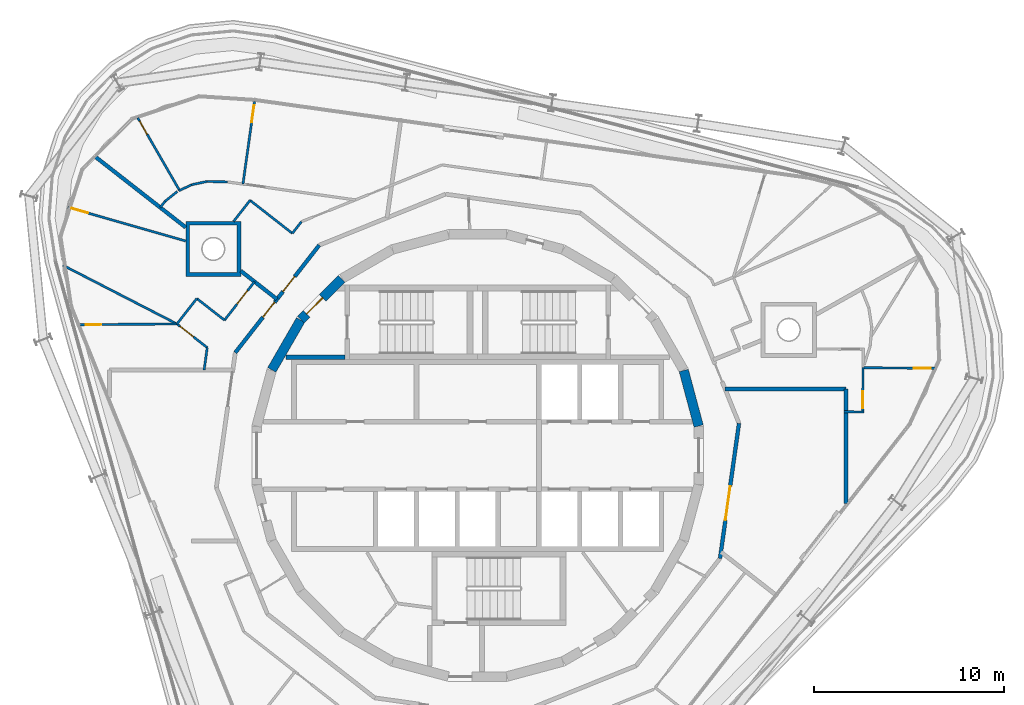
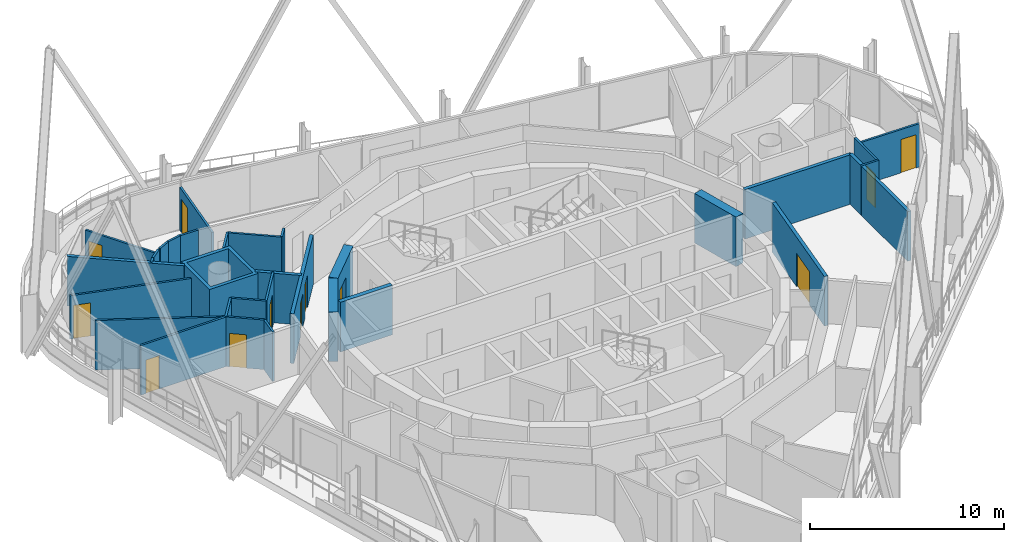
# One storey, part 12 of 17: 32 walls, 12 doors, 12 openings.
"""IFC4 building model written with IfcOpenShell, lengths in metres."""

from ifc_helpers import new_model, si_unit, direction, frame, frame_2d, origin, place, context, subcontext, project, spatial, polyline, rectangle, outline, extrude, material, layer, layer_set, type_object, element, fill, save


model = new_model("IFC4")

# Units and contexts
model_context = context("Model", 3, precision=1e-05, world=origin(), true_north=direction((0.0, 1.0)))
body_context = subcontext(model_context, "Body", "Model", "MODEL_VIEW")
ifc_project = project(units=[si_unit("LENGTHUNIT", "METRE"), si_unit("AREAUNIT", "SQUARE_METRE"), si_unit("VOLUMEUNIT", "CUBIC_METRE"), si_unit("PLANEANGLEUNIT", "RADIAN"), si_unit("MASSUNIT", "GRAM", prefix="KILO")], contexts=[model_context])

# Site, building, storey
site_placement = place(None, origin())
site = spatial("IfcSite", under=ifc_project, at=site_placement, CompositionType="ELEMENT")
building_placement = place(site_placement, origin())
building = spatial("IfcBuilding", under=site, at=building_placement, Name="Spindle Arch Residences", CompositionType="ELEMENT")
storey_placement = place(building_placement, frame((0.0, 0.0, 333.0)))
storey = spatial("IfcBuildingStorey", under=building, at=storey_placement, Name="L85", CompositionType="ELEMENT", Elevation=333.0)

# Wall
ifc_material_1 = material(Name="Concrete C50/60", Category="concrete")
ifc_layer_1 = layer(ifc_material_1, 0.5)
ifc_layer_set_1 = layer_set([ifc_layer_1], Name="Core outline wall 500")
wall_type_1 = type_object("IfcWallType", Name="Core outline wall 500", PredefinedType="SHEAR", material=ifc_layer_set_1)
wall_1_placement = place(storey_placement, frame((11.642822265625, 1.5498046875, 0.0), z_axis=(0.0, 0.0, 1.0), x_axis=(-0.258734743916, 0.965948410781, 0.0)))
element("IfcWall", 1, at=wall_1_placement, inside=storey, type_object=wall_type_1, Name="Core outline wall 7", PredefinedType="SHEAR", context=body_context, shape_type="SweptSolid", body=[
    extrude(rectangle(XDim=3.03271484375, YDim=0.5, at=frame_2d((1.516357421875, 0.0))), origin(), (0.0, 0.0, 1.0), 3.1201171875),
])

# Wall, opening, door
wall_2_placement = place(storey_placement, frame((-7.163818359375, 9.30810546875, 0.0), z_axis=(0.0, 0.0, 1.0), x_axis=(-0.707106781187, -0.707106781187, 0.0)))
wall_2 = element("IfcWall", 2, at=wall_2_placement, inside=storey, type_object=wall_type_1, Name="Core outline wall 15", PredefinedType="SHEAR", context=body_context, shape_type="SweptSolid", body=[
    extrude(rectangle(XDim=3.032470703125, YDim=0.5, at=frame_2d((1.51611328125, 0.0))), origin(), (0.0, 0.0, 1.0), 3.1201171875),
])
opening_1_placement = place(wall_2_placement, frame((1.416259765625, 0.0, 0.0)))
opening_1 = element("IfcOpeningElement", 3, at=opening_1_placement, cuts=wall_2, Name="Opening R9A0-AD02", PredefinedType="OPENING", context=body_context, shape_type="SweptSolid", body=[
    extrude(rectangle(XDim=1.199951171875, YDim=2.10009765625, at=frame_2d((0.60009765625, 1.050048828125))), frame((0.0, 0.260009765625, 0.0), z_axis=(0.0, -1.0, 0.0), x_axis=(1.0, 0.0, 0.0)), (0.0, 0.0, 1.0), 0.52001953125),
])
ifc_material_2 = material(Name="Steel, fire-resisting door", Category="steel")
door_type_1 = type_object("IfcDoorType", Name="Stair airlock door 1200x2100", OperationType="SINGLE_SWING_LEFT", PredefinedType="DOOR", material=ifc_material_2)
door_1_placement = place(opening_1_placement, origin())
door_1 = element("IfcDoor", 4, at=door_1_placement, inside=storey, type_object=door_type_1, Name="Stair airlock door R9A0-AD02", OperationType="SINGLE_SWING_RIGHT", OverallHeight=2.10009765625, OverallWidth=1.199951171875, PredefinedType="DOOR", context=body_context, shape_type="SweptSolid", body=[
    extrude(rectangle(XDim=1.199951171875, YDim=2.10009765625, at=frame_2d((0.60009765625, 1.050048828125))), frame((0.0, 0.02490234375, 0.0), z_axis=(0.0, -1.0, 0.0), x_axis=(1.0, 0.0, 0.0)), (0.0, 0.0, 1.0), 0.050048828125),
])
fill(opening_1, door_1)

# Wall
wall_3_placement = place(storey_placement, frame((-9.32861328125, 7.13671875, 0.0), z_axis=(0.0, 0.0, 1.0), x_axis=(-0.500087131594, -0.865975092491, 0.0)))
element("IfcWall", 5, at=wall_3_placement, inside=storey, type_object=wall_type_1, Name="Core outline wall 16", PredefinedType="SHEAR", context=body_context, shape_type="SweptSolid", body=[
    extrude(rectangle(XDim=3.03271484375, YDim=0.5, at=frame_2d((1.516357421875, 0.0))), origin(), (0.0, 0.0, 1.0), 3.1201171875),
])

# Wall, openings, doors
ifc_material_3 = material(Name="Calcium silicate block, plastered")
ifc_layer_2 = layer(ifc_material_3, 0.199951171875)
ifc_layer_set_2 = layer_set([ifc_layer_2], Name="Corridor wall 200")
wall_type_2 = type_object("IfcWallType", Name="Corridor wall 200", PredefinedType="STANDARD", material=ifc_layer_set_2)
wall_4_placement = place(storey_placement, frame((-8.348876953125, 11.0791015625, 0.0), z_axis=(0.0, 0.0, 1.0), x_axis=(-0.615669112324, -0.78800478687, 0.0)))
wall_4 = element("IfcWall", 6, at=wall_4_placement, inside=storey, type_object=wall_type_2, Name="Corridor wall R9A0-W012", PredefinedType="STANDARD", context=body_context, shape_type="SweptSolid", body=[
    extrude(rectangle(XDim=7.18115234375, YDim=0.199951171875, at=frame_2d((3.590576171875, 0.0))), origin(), (0.0, 0.0, 1.0), 3.1201171875),
])
opening_2_placement = place(wall_4_placement, frame((2.10009765625, 0.0, 0.0)))
opening_2 = element("IfcOpeningElement", 7, at=opening_2_placement, cuts=wall_4, Name="Opening R9A0-FD03", PredefinedType="OPENING", context=body_context, shape_type="SweptSolid", body=[
    extrude(rectangle(XDim=1.0, YDim=2.10009765625, at=frame_2d((0.5, 1.050048828125))), frame((0.0, 0.10986328125, 0.0), z_axis=(0.0, -1.0, 0.0), x_axis=(1.0, 0.0, 0.0)), (0.0, 0.0, 1.0), 0.219970703125),
])
opening_3_placement = place(wall_4_placement, frame((3.811279296875, 0.0, 0.0)))
opening_3 = element("IfcOpeningElement", 8, at=opening_3_placement, cuts=wall_4, Name="Opening R9A0-FD04", PredefinedType="OPENING", context=body_context, shape_type="SweptSolid", body=[
    extrude(rectangle(XDim=1.0, YDim=2.10009765625, at=frame_2d((0.5, 1.050048828125))), frame((0.0, 0.10986328125, 0.0), z_axis=(0.0, -1.0, 0.0), x_axis=(1.0, 0.0, 0.0)), (0.0, 0.0, 1.0), 0.219970703125),
])
ifc_material_4 = material(Name="Timber, fire-resisting door set", Category="wood")
door_type_2 = type_object("IfcDoorType", Name="Flat entrance door 1000x2100", OperationType="NOTDEFINED", PredefinedType="DOOR", material=ifc_material_4)
door_2_placement = place(opening_2_placement, origin())
door_2 = element("IfcDoor", 9, at=door_2_placement, inside=storey, type_object=door_type_2, Name="Flat entrance door R9A0-FD03", OperationType="SINGLE_SWING_RIGHT", OverallHeight=2.10009765625, OverallWidth=1.0, PredefinedType="DOOR", context=body_context, shape_type="SweptSolid", body=[
    extrude(rectangle(XDim=1.0, YDim=2.10009765625, at=frame_2d((0.5, 1.050048828125))), frame((0.0, 0.02490234375, 0.0), z_axis=(0.0, -1.0, 0.0), x_axis=(1.0, 0.0, 0.0)), (0.0, 0.0, 1.0), 0.050048828125),
])
fill(opening_2, door_2)
door_3_placement = place(opening_3_placement, origin())
door_3 = element("IfcDoor", 10, at=door_3_placement, inside=storey, type_object=door_type_2, Name="Flat entrance door R9A0-FD04", OperationType="SINGLE_SWING_LEFT", OverallHeight=2.10009765625, OverallWidth=1.0, PredefinedType="DOOR", context=body_context, shape_type="SweptSolid", body=[
    extrude(rectangle(XDim=1.0, YDim=2.10009765625, at=frame_2d((0.5, 1.050048828125))), frame((0.0, 0.02490234375, 0.0), z_axis=(0.0, -1.0, 0.0), x_axis=(1.0, 0.0, 0.0)), (0.0, 0.0, 1.0), 0.050048828125),
])
fill(opening_3, door_3)

# Wall, opening, door
ifc_material_5 = material(Name="Calcium silicate block, plastered")
ifc_layer_3 = layer(ifc_material_5, 0.199951171875)
ifc_layer_set_3 = layer_set([ifc_layer_3], Name="Fire-lift lobby bay wall 200")
wall_type_3 = type_object("IfcWallType", Name="Fire-lift lobby bay wall 200", PredefinedType="STANDARD", material=ifc_layer_set_3)
wall_5_placement = place(storey_placement, frame((12.77001953125, -5.42041015625, 0.0), z_axis=(0.0, 0.0, 1.0), x_axis=(0.139155334385, 0.990270565508, 0.0)))
wall_5 = element("IfcWall", 11, at=wall_5_placement, inside=storey, type_object=wall_type_3, Name="Fire-lift lobby bay wall R9A0-W004", PredefinedType="STANDARD", context=body_context, shape_type="SweptSolid", body=[
    extrude(rectangle(XDim=7.180908203125, YDim=0.199951171875, at=frame_2d((3.59033203125, 0.0))), origin(), (0.0, 0.0, 1.0), 3.1201171875),
])
opening_4_placement = place(wall_5_placement, frame((2.039306640625, 0.0, 0.0)))
opening_4 = element("IfcOpeningElement", 12, at=opening_4_placement, cuts=wall_5, Name="Opening R9A0-FB01", PredefinedType="OPENING", context=body_context, shape_type="SweptSolid", body=[
    extrude(rectangle(XDim=1.800048828125, YDim=2.10009765625, at=frame_2d((0.89990234375, 1.050048828125))), frame((0.0, 0.10986328125, 0.0), z_axis=(0.0, -1.0, 0.0), x_axis=(1.0, 0.0, 0.0)), (0.0, 0.0, 1.0), 0.219970703125),
])
ifc_material_6 = material(Name="Steel, fire-resisting door", Category="steel")
door_type_3 = type_object("IfcDoorType", Name="Fire-lift lobby bay door 1800x2100", OperationType="NOTDEFINED", PredefinedType="DOOR", material=ifc_material_6)
door_4_placement = place(opening_4_placement, origin())
door_4 = element("IfcDoor", 13, at=door_4_placement, inside=storey, type_object=door_type_3, Name="Fire-lift lobby bay door R9A0-FB01", OperationType="DOUBLE_DOOR_SINGLE_SWING", OverallHeight=2.10009765625, OverallWidth=1.800048828125, PredefinedType="DOOR", context=body_context, shape_type="SweptSolid", body=[
    extrude(rectangle(XDim=1.800048828125, YDim=2.10009765625, at=frame_2d((0.89990234375, 1.050048828125))), frame((0.0, 0.02490234375, 0.0), z_axis=(0.0, -1.0, 0.0), x_axis=(1.0, 0.0, 0.0)), (0.0, 0.0, 1.0), 0.050048828125),
])
fill(opening_4, door_4)

# Walls
wall_6_placement = place(storey_placement, frame((19.39990234375, -2.519287109375, 0.0), z_axis=(0.0, 0.0, 1.0), x_axis=(0.0, 1.0, 0.0)))
element("IfcWall", 14, at=wall_6_placement, inside=storey, type_object=wall_type_3, Name="Fire-lift lobby bay wall R9A0-W020", PredefinedType="STANDARD", context=body_context, shape_type="SweptSolid", body=[
    extrude(rectangle(XDim=6.019287109375, YDim=0.199951171875, at=frame_2d((3.009765625, 0.0))), origin(), (0.0, 0.0, 1.0), 3.1201171875),
])
wall_7_placement = place(storey_placement, frame((19.39990234375, 3.5, 0.0), z_axis=(0.0, 0.0, 1.0), x_axis=(-1.0, 0.0, 0.0)))
element("IfcWall", 15, at=wall_7_placement, inside=storey, type_object=wall_type_3, Name="Fire-lift lobby bay wall R9A0-W021", PredefinedType="STANDARD", context=body_context, shape_type="SweptSolid", body=[
    extrude(rectangle(XDim=6.361572265625, YDim=0.199951171875, at=frame_2d((3.1806640625, 0.0))), origin(), (0.0, 0.0, 1.0), 3.1201171875),
])
ifc_material_7 = material(Name="Plasterboard on steel studs", Category="steel")
ifc_layer_4 = layer(ifc_material_7, 0.1201171875)
ifc_layer_set_4 = layer_set([ifc_layer_4], Name="Flat partition 120")
wall_type_4 = type_object("IfcWallType", Name="Flat partition 120", PredefinedType="PARTITIONING", material=ifc_layer_set_4)
wall_8_placement = place(storey_placement, frame((19.300048828125, 2.302001953125, 0.0), z_axis=(0.0, 0.0, 1.0), x_axis=(0.999958506341, -0.009109643015, 0.0)))
element("IfcWall", 16, at=wall_8_placement, inside=storey, type_object=wall_type_4, Name="Flat partition R9A0-W031", PredefinedType="PARTITIONING", context=body_context, shape_type="SweptSolid", body=[
    extrude(rectangle(XDim=1.045166015625, YDim=0.1201171875, at=frame_2d((0.5224609375, 0.0))), origin(), (0.0, 0.0, 1.0), 3.1201171875),
])

# Wall, opening, door
wall_9_placement = place(storey_placement, frame((20.285400390625, 2.29296875, 0.0), z_axis=(0.0, 0.0, 1.0), x_axis=(0.008900171034, 0.999960392693, 0.0)))
wall_9 = element("IfcWall", 17, at=wall_9_placement, inside=storey, type_object=wall_type_4, Name="Flat partition R9A0-W032", PredefinedType="PARTITIONING", context=body_context, shape_type="SweptSolid", body=[
    extrude(rectangle(XDim=2.33154296875, YDim=0.1201171875, at=frame_2d((1.165771484375, 0.0))), origin(), (0.0, 0.0, 1.0), 3.1201171875),
])
opening_5_placement = place(wall_9_placement, frame((0.199951171875, 0.0, 0.0)))
opening_5 = element("IfcOpeningElement", 18, at=opening_5_placement, cuts=wall_9, Name="Opening R9A0-ID01", PredefinedType="OPENING", context=body_context, shape_type="SweptSolid", body=[
    extrude(rectangle(XDim=0.89990234375, YDim=2.10009765625, at=frame_2d((0.449951171875, 1.050048828125))), frame((0.0, 0.070068359375, 0.0), z_axis=(0.0, -1.0, 0.0), x_axis=(1.0, 0.0, 0.0)), (0.0, 0.0, 1.0), 0.14013671875),
])
ifc_material_8 = material(Name="Timber door set", Category="wood")
door_type_4 = type_object("IfcDoorType", Name="Room door 900x2100", OperationType="NOTDEFINED", PredefinedType="DOOR", material=ifc_material_8)
door_5_placement = place(opening_5_placement, origin())
door_5 = element("IfcDoor", 19, at=door_5_placement, inside=storey, type_object=door_type_4, Name="Room door R9A0-ID01", OperationType="SINGLE_SWING_RIGHT", OverallHeight=2.10009765625, OverallWidth=0.89990234375, PredefinedType="DOOR", context=body_context, shape_type="SweptSolid", body=[
    extrude(rectangle(XDim=0.89990234375, YDim=2.10009765625, at=frame_2d((0.449951171875, 1.050048828125))), frame((0.0, 0.02490234375, 0.0), z_axis=(0.0, -1.0, 0.0), x_axis=(1.0, 0.0, 0.0)), (0.0, 0.0, 1.0), 0.050048828125),
])
fill(opening_5, door_5)

# Walls
wall_10_placement = place(storey_placement, frame((-9.283447265625, 12.3193359375, 0.0), z_axis=(0.0, 0.0, 1.0), x_axis=(-0.615735018346, -0.787953289975, 0.0)))
element("IfcWall", 20, at=wall_10_placement, inside=storey, type_object=wall_type_4, Name="Flat partition R9A0-W053", PredefinedType="PARTITIONING", context=body_context, shape_type="SweptSolid", body=[
    extrude(rectangle(XDim=0.781005859375, YDim=0.1201171875, at=frame_2d((0.390625, 0.0))), origin(), (0.0, 0.0, 1.0), 3.1201171875),
])
wall_11_placement = place(storey_placement, frame((-9.764404296875, 11.703857421875, 0.0), z_axis=(0.0, 0.0, 1.0), x_axis=(-0.787996873396, 0.615679240772, 0.0)))
element("IfcWall", 21, at=wall_11_placement, inside=storey, type_object=wall_type_4, Name="Flat partition R9A0-W054", PredefinedType="PARTITIONING", context=body_context, shape_type="SweptSolid", body=[
    extrude(rectangle(XDim=2.826416015625, YDim=0.1201171875, at=frame_2d((1.4130859375, 0.0))), origin(), (0.0, 0.0, 1.0), 3.1201171875),
])
wall_12_placement = place(storey_placement, frame((-11.99169921875, 13.444091796875, 0.0), z_axis=(0.0, 0.0, 1.0), x_axis=(-0.615593635541, -0.788063751153, 0.0)))
element("IfcWall", 22, at=wall_12_placement, inside=storey, type_object=wall_type_4, Name="Flat partition R9A0-W055", PredefinedType="PARTITIONING", context=body_context, shape_type="SweptSolid", body=[
    extrude(rectangle(XDim=1.409912109375, YDim=0.1201171875, at=frame_2d((0.705078125, 0.0))), origin(), (0.0, 0.0, 1.0), 3.1201171875),
])
wall_13_placement = place(storey_placement, frame((-15.7431640625, 13.947509765625, 0.0), z_axis=(0.0, 0.0, 1.0), x_axis=(0.903885078158, 0.427775368019, 0.0)))
element("IfcWall", 23, at=wall_13_placement, inside=storey, type_object=wall_type_4, Name="Flat partition R9A0-W058", PredefinedType="PARTITIONING", context=body_context, shape_type="SweptSolid", body=[
    extrude(rectangle(XDim=0.742431640625, YDim=0.1201171875, at=frame_2d((0.37109375, 0.0))), origin(), (0.0, 0.0, 1.0), 3.1201171875),
])
wall_14_placement = place(storey_placement, frame((-15.072021484375, 14.26513671875, 0.0), z_axis=(0.0, 0.0, 1.0), x_axis=(0.978141630921, 0.207939774595, 0.0)))
element("IfcWall", 24, at=wall_14_placement, inside=storey, type_object=wall_type_4, Name="Flat partition R9A0-W059", PredefinedType="PARTITIONING", context=body_context, shape_type="SweptSolid", body=[
    extrude(rectangle(XDim=0.828857421875, YDim=0.1201171875, at=frame_2d((0.41455078125, 0.0))), origin(), (0.0, 0.0, 1.0), 3.1201171875),
])
wall_15_placement = place(storey_placement, frame((-14.26123046875, 14.4375, 0.0), z_axis=(0.0, 0.0, 1.0), x_axis=(0.999732237365, -0.023139869764, 0.0)))
element("IfcWall", 25, at=wall_15_placement, inside=storey, type_object=wall_type_4, Name="Flat partition R9A0-W060", PredefinedType="PARTITIONING", context=body_context, shape_type="SweptSolid", body=[
    extrude(rectangle(XDim=1.086669921875, YDim=0.1201171875, at=frame_2d((0.54345703125, 0.0))), origin(), (0.0, 0.0, 1.0), 3.1201171875),
])
wall_16_placement = place(storey_placement, frame((-15.8212890625, 13.910400390625, 0.0), z_axis=(0.0, 0.0, 1.0), x_axis=(-0.780840072472, -0.624730967074, 0.0)))
element("IfcWall", 26, at=wall_16_placement, inside=storey, type_object=wall_type_4, Name="Flat partition R9A0-W062", PredefinedType="PARTITIONING", context=body_context, shape_type="SweptSolid", body=[
    extrude(rectangle(XDim=0.828857421875, YDim=0.1201171875, at=frame_2d((0.41455078125, 0.0))), origin(), (0.0, 0.0, 1.0), 3.1201171875),
])
wall_17_placement = place(storey_placement, frame((-16.468505859375, 13.392578125, 0.0), z_axis=(0.0, 0.0, 1.0), x_axis=(-0.615815563257, -0.787890342656, 0.0)))
element("IfcWall", 27, at=wall_17_placement, inside=storey, type_object=wall_type_4, Name="Flat partition R9A0-W063", PredefinedType="PARTITIONING", context=body_context, shape_type="SweptSolid", body=[
    extrude(rectangle(XDim=0.414306640625, YDim=0.1201171875, at=frame_2d((0.20703125, 0.0))), origin(), (0.0, 0.0, 1.0), 3.1201171875),
])

# Wall, opening, door
wall_18_placement = place(storey_placement, frame((-11.75439453125, 9.156982421875, 0.0), z_axis=(0.0, 0.0, 1.0), x_axis=(-0.615568539365, -0.788083354312, 0.0)))
wall_18 = element("IfcWall", 28, at=wall_18_placement, inside=storey, type_object=wall_type_4, Name="Flat partition R9A0-W064", PredefinedType="PARTITIONING", context=body_context, shape_type="SweptSolid", body=[
    extrude(rectangle(XDim=2.57275390625, YDim=0.1201171875, at=frame_2d((1.286376953125, 0.0))), origin(), (0.0, 0.0, 1.0), 3.1201171875),
])
opening_6_placement = place(wall_18_placement, frame((0.60009765625, 0.0, 0.0)))
opening_6 = element("IfcOpeningElement", 29, at=opening_6_placement, cuts=wall_18, Name="Opening R9A0-ID12", PredefinedType="OPENING", context=body_context, shape_type="SweptSolid", body=[
    extrude(rectangle(XDim=0.89990234375, YDim=2.10009765625, at=frame_2d((0.449951171875, 1.050048828125))), frame((0.0, 0.070068359375, 0.0), z_axis=(0.0, -1.0, 0.0), x_axis=(1.0, 0.0, 0.0)), (0.0, 0.0, 1.0), 0.14013671875),
])
door_6_placement = place(opening_6_placement, origin())
door_6 = element("IfcDoor", 30, at=door_6_placement, inside=storey, type_object=door_type_4, Name="Room door R9A0-ID12", OperationType="SINGLE_SWING_LEFT", OverallHeight=2.10009765625, OverallWidth=0.89990234375, PredefinedType="DOOR", context=body_context, shape_type="SweptSolid", body=[
    extrude(rectangle(XDim=0.89990234375, YDim=2.10009765625, at=frame_2d((0.449951171875, 1.050048828125))), frame((0.0, 0.02490234375, 0.0), z_axis=(0.0, -1.0, 0.0), x_axis=(1.0, 0.0, 0.0)), (0.0, 0.0, 1.0), 0.050048828125),
])
fill(opening_6, door_6)

# Walls
wall_19_placement = place(storey_placement, frame((-13.338134765625, 7.12939453125, 0.0), z_axis=(0.0, 0.0, 1.0), x_axis=(-0.787938483233, 0.615753965997, 0.0)))
element("IfcWall", 31, at=wall_19_placement, inside=storey, type_object=wall_type_4, Name="Flat partition R9A0-W065", PredefinedType="PARTITIONING", context=body_context, shape_type="SweptSolid", body=[
    extrude(rectangle(XDim=1.853271484375, YDim=0.1201171875, at=frame_2d((0.9267578125, 0.0))), origin(), (0.0, 0.0, 1.0), 3.1201171875),
])
wall_20_placement = place(storey_placement, frame((-14.79833984375, 8.2705078125, 0.0), z_axis=(0.0, 0.0, 1.0), x_axis=(-0.615669123866, -0.788004777852, 0.0)))
element("IfcWall", 32, at=wall_20_placement, inside=storey, type_object=wall_type_4, Name="Flat partition R9A0-W066", PredefinedType="PARTITIONING", context=body_context, shape_type="SweptSolid", body=[
    extrude(rectangle(XDim=1.699951171875, YDim=0.1201171875, at=frame_2d((0.85009765625, 0.0))), origin(), (0.0, 0.0, 1.0), 3.1201171875),
])

# Wall, opening, door
wall_21_placement = place(storey_placement, frame((-15.844970703125, 6.930908203125, 0.0), z_axis=(0.0, 0.0, 1.0), x_axis=(0.787962283792, -0.615723508827, 0.0)))
wall_21 = element("IfcWall", 33, at=wall_21_placement, inside=storey, type_object=wall_type_4, Name="Flat partition R9A0-W067", PredefinedType="PARTITIONING", context=body_context, shape_type="SweptSolid", body=[
    extrude(rectangle(XDim=2.02685546875, YDim=0.1201171875, at=frame_2d((1.013427734375, 0.0))), origin(), (0.0, 0.0, 1.0), 3.1201171875),
])
opening_7_placement = place(wall_21_placement, frame((0.199951171875, 0.0, 0.0)))
opening_7 = element("IfcOpeningElement", 34, at=opening_7_placement, cuts=wall_21, Name="Opening R9A0-ID13", PredefinedType="OPENING", context=body_context, shape_type="SweptSolid", body=[
    extrude(rectangle(XDim=0.89990234375, YDim=2.10009765625, at=frame_2d((0.449951171875, 1.050048828125))), frame((0.0, 0.070068359375, 0.0), z_axis=(0.0, -1.0, 0.0), x_axis=(1.0, 0.0, 0.0)), (0.0, 0.0, 1.0), 0.14013671875),
])
door_7_placement = place(opening_7_placement, origin())
door_7 = element("IfcDoor", 35, at=door_7_placement, inside=storey, type_object=door_type_4, Name="Room door R9A0-ID13", OperationType="SINGLE_SWING_LEFT", OverallHeight=2.10009765625, OverallWidth=0.89990234375, PredefinedType="DOOR", context=body_context, shape_type="SweptSolid", body=[
    extrude(rectangle(XDim=0.89990234375, YDim=2.10009765625, at=frame_2d((0.449951171875, 1.050048828125))), frame((0.0, 0.02490234375, 0.0), z_axis=(0.0, -1.0, 0.0), x_axis=(1.0, 0.0, 0.0)), (0.0, 0.0, 1.0), 0.050048828125),
])
fill(opening_7, door_7)

# Walls
wall_22_placement = place(storey_placement, frame((-14.247802734375, 5.682861328125, 0.0), z_axis=(0.0, 0.0, 1.0), x_axis=(-0.139189066398, -0.990265824814, 0.0)))
element("IfcWall", 36, at=wall_22_placement, inside=storey, type_object=wall_type_4, Name="Flat partition R9A0-W068", PredefinedType="PARTITIONING", context=body_context, shape_type="SweptSolid", body=[
    extrude(rectangle(XDim=1.194580078125, YDim=0.1201171875, at=frame_2d((0.59716796875, 0.0))), origin(), (0.0, 0.0, 1.0), 3.1201171875),
])
wall_23_placement = place(storey_placement, frame((-21.85009765625, 10.021484375, 0.0), z_axis=(0.0, 0.0, 1.0), x_axis=(0.889153763622, -0.457608549567, 0.0)))
element("IfcWall", 37, at=wall_23_placement, inside=storey, type_object=wall_type_4, Name="Flat partition R9A0-W070", PredefinedType="PARTITIONING", context=body_context, shape_type="SweptSolid", body=[
    extrude(rectangle(XDim=6.753662109375, YDim=0.1201171875, at=frame_2d((3.376953125, 0.0))), origin(), (0.0, 0.0, 1.0), 3.1201171875),
])

# Wall, opening, door
wall_24_placement = place(storey_placement, frame((-20.945556640625, 6.892333984375, 0.0), z_axis=(0.0, 0.0, 1.0), x_axis=(0.999971403985, 0.007562487164, 0.0)))
wall_24 = element("IfcWall", 38, at=wall_24_placement, inside=storey, type_object=wall_type_4, Name="Flat partition R9A0-W071", PredefinedType="PARTITIONING", context=body_context, shape_type="SweptSolid", body=[
    extrude(rectangle(XDim=5.100830078125, YDim=0.1201171875, at=frame_2d((2.55029296875, 0.0))), origin(), (0.0, 0.0, 1.0), 3.1201171875),
])
opening_8_placement = place(wall_24_placement, frame((0.300048828125, 0.0, 0.0)))
opening_8 = element("IfcOpeningElement", 39, at=opening_8_placement, cuts=wall_24, Name="Opening R9A0-BD04", PredefinedType="OPENING", context=body_context, shape_type="SweptSolid", body=[
    extrude(rectangle(XDim=0.800048828125, YDim=2.10009765625, at=frame_2d((0.39990234375, 1.050048828125))), frame((0.0, 0.070068359375, 0.0), z_axis=(0.0, -1.0, 0.0), x_axis=(1.0, 0.0, 0.0)), (0.0, 0.0, 1.0), 0.14013671875),
])
ifc_material_9 = material(Name="Timber door set", Category="wood")
door_type_5 = type_object("IfcDoorType", Name="Bathroom door 800x2100", OperationType="NOTDEFINED", PredefinedType="DOOR", material=ifc_material_9)
door_8_placement = place(opening_8_placement, origin())
door_8 = element("IfcDoor", 40, at=door_8_placement, inside=storey, type_object=door_type_5, Name="Bathroom door R9A0-BD04", OperationType="SINGLE_SWING_LEFT", OverallHeight=2.10009765625, OverallWidth=0.800048828125, PredefinedType="DOOR", context=body_context, shape_type="SweptSolid", body=[
    extrude(rectangle(XDim=0.800048828125, YDim=2.10009765625, at=frame_2d((0.39990234375, 1.050048828125))), frame((0.0, 0.02490234375, 0.0), z_axis=(0.0, -1.0, 0.0), x_axis=(1.0, 0.0, 0.0)), (0.0, 0.0, 1.0), 0.050048828125),
])
fill(opening_8, door_8)

ifc_material_10 = material(Name="Plasterboard on steel studs", Category="steel")
ifc_layer_5 = layer(ifc_material_10, 0.1201171875)
ifc_layer_set_5 = layer_set([ifc_layer_5], Name="Flat partition 120 under beam 2730")
wall_type_5 = type_object("IfcWallType", Name="Flat partition 120 under beam 2730", PredefinedType="PARTITIONING", material=ifc_layer_set_5)
wall_25_placement = place(storey_placement, frame((24.084716796875, 4.5908203125, 0.0), z_axis=(0.0, 0.0, 1.0), x_axis=(-0.99996025077, 0.008916102255, 0.0)))
wall_25 = element("IfcWall", 41, at=wall_25_placement, inside=storey, type_object=wall_type_5, Name="Flat partition R9A0-W035", PredefinedType="PARTITIONING", context=body_context, shape_type="SweptSolid", body=[
    extrude(rectangle(XDim=3.77880859375, YDim=0.1201171875, at=frame_2d((1.889404296875, 0.0))), origin(), (0.0, 0.0, 1.0), 2.72998046875),
])
opening_9_placement = place(wall_25_placement, frame((0.199951171875, 0.0, 0.0)))
opening_9 = element("IfcOpeningElement", 42, at=opening_9_placement, cuts=wall_25, Name="Opening R9A0-ID03", PredefinedType="OPENING", context=body_context, shape_type="SweptSolid", body=[
    extrude(rectangle(XDim=0.89990234375, YDim=2.10009765625, at=frame_2d((0.449951171875, 1.050048828125))), frame((0.0, 0.070068359375, 0.0), z_axis=(0.0, -1.0, 0.0), x_axis=(1.0, 0.0, 0.0)), (0.0, 0.0, 1.0), 0.14013671875),
])
door_9_placement = place(opening_9_placement, origin())
door_9 = element("IfcDoor", 43, at=door_9_placement, inside=storey, type_object=door_type_4, Name="Room door R9A0-ID03", OperationType="SINGLE_SWING_RIGHT", OverallHeight=2.10009765625, OverallWidth=0.89990234375, PredefinedType="DOOR", context=body_context, shape_type="SweptSolid", body=[
    extrude(rectangle(XDim=0.89990234375, YDim=2.10009765625, at=frame_2d((0.449951171875, 1.050048828125))), frame((0.0, 0.02490234375, 0.0), z_axis=(0.0, -1.0, 0.0), x_axis=(1.0, 0.0, 0.0)), (0.0, 0.0, 1.0), 0.050048828125),
])
fill(opening_9, door_9)

wall_26_placement = place(storey_placement, frame((-11.7548828125, 18.656005859375, 0.0), z_axis=(0.0, 0.0, 1.0), x_axis=(-0.13916046232, -0.990269844904, 0.0)))
wall_26 = element("IfcWall", 44, at=wall_26_placement, inside=storey, type_object=wall_type_5, Name="Flat partition R9A0-W056", PredefinedType="PARTITIONING", context=body_context, shape_type="SweptSolid", body=[
    extrude(rectangle(XDim=4.39990234375, YDim=0.1201171875, at=frame_2d((2.199951171875, 0.0))), origin(), (0.0, 0.0, 1.0), 2.72998046875),
])
opening_10_placement = place(wall_26_placement, frame((0.199951171875, 0.0, 0.0)))
opening_10 = element("IfcOpeningElement", 45, at=opening_10_placement, cuts=wall_26, Name="Opening R9A0-ID10", PredefinedType="OPENING", context=body_context, shape_type="SweptSolid", body=[
    extrude(rectangle(XDim=0.89990234375, YDim=2.10009765625, at=frame_2d((0.449951171875, 1.050048828125))), frame((0.0, 0.070068359375, 0.0), z_axis=(0.0, -1.0, 0.0), x_axis=(1.0, 0.0, 0.0)), (0.0, 0.0, 1.0), 0.14013671875),
])
door_10_placement = place(opening_10_placement, origin())
door_10 = element("IfcDoor", 46, at=door_10_placement, inside=storey, type_object=door_type_4, Name="Room door R9A0-ID10", OperationType="SINGLE_SWING_RIGHT", OverallHeight=2.10009765625, OverallWidth=0.89990234375, PredefinedType="DOOR", context=body_context, shape_type="SweptSolid", body=[
    extrude(rectangle(XDim=0.89990234375, YDim=2.10009765625, at=frame_2d((0.449951171875, 1.050048828125))), frame((0.0, 0.02490234375, 0.0), z_axis=(0.0, -1.0, 0.0), x_axis=(1.0, 0.0, 0.0)), (0.0, 0.0, 1.0), 0.050048828125),
])
fill(opening_10, door_10)

wall_27_placement = place(storey_placement, frame((-17.912353515625, 17.788818359375, 0.0), z_axis=(0.0, 0.0, 1.0), x_axis=(0.499601164034, -0.866255549417, 0.0)))
wall_27 = element("IfcWall", 47, at=wall_27_placement, inside=storey, type_object=wall_type_5, Name="Flat partition R9A0-W061", PredefinedType="PARTITIONING", context=body_context, shape_type="SweptSolid", body=[
    extrude(rectangle(XDim=4.41455078125, YDim=0.1201171875, at=frame_2d((2.207275390625, 0.0))), origin(), (0.0, 0.0, 1.0), 2.72998046875),
])
opening_11_placement = place(wall_27_placement, frame((0.199951171875, 0.0, 0.0)))
opening_11 = element("IfcOpeningElement", 48, at=opening_11_placement, cuts=wall_27, Name="Opening R9A0-BD03", PredefinedType="OPENING", context=body_context, shape_type="SweptSolid", body=[
    extrude(rectangle(XDim=0.800048828125, YDim=2.10009765625, at=frame_2d((0.39990234375, 1.050048828125))), frame((0.0, 0.070068359375, 0.0), z_axis=(0.0, -1.0, 0.0), x_axis=(1.0, 0.0, 0.0)), (0.0, 0.0, 1.0), 0.14013671875),
])
door_11_placement = place(opening_11_placement, origin())
door_11 = element("IfcDoor", 49, at=door_11_placement, inside=storey, type_object=door_type_5, Name="Bathroom door R9A0-BD03", OperationType="SINGLE_SWING_RIGHT", OverallHeight=2.10009765625, OverallWidth=0.800048828125, PredefinedType="DOOR", context=body_context, shape_type="SweptSolid", body=[
    extrude(rectangle(XDim=0.800048828125, YDim=2.10009765625, at=frame_2d((0.39990234375, 1.050048828125))), frame((0.0, 0.02490234375, 0.0), z_axis=(0.0, -1.0, 0.0), x_axis=(1.0, 0.0, 0.0)), (0.0, 0.0, 1.0), 0.050048828125),
])
fill(opening_11, door_11)

wall_28_placement = place(storey_placement, frame((-21.59375, 13.076904296875, 0.0), z_axis=(0.0, 0.0, 1.0), x_axis=(0.961389857774, -0.275190009576, 0.0)))
wall_28 = element("IfcWall", 50, at=wall_28_placement, inside=storey, type_object=wall_type_5, Name="Flat partition R9A0-W069", PredefinedType="PARTITIONING", context=body_context, shape_type="SweptSolid", body=[
    extrude(rectangle(XDim=6.4638671875, YDim=0.1201171875, at=frame_2d((3.23193359375, 0.0))), origin(), (0.0, 0.0, 1.0), 2.72998046875),
])
opening_12_placement = place(wall_28_placement, frame((0.199951171875, 0.0, 0.0)))
opening_12 = element("IfcOpeningElement", 51, at=opening_12_placement, cuts=wall_28, Name="Opening R9A0-ID14", PredefinedType="OPENING", context=body_context, shape_type="SweptSolid", body=[
    extrude(rectangle(XDim=0.89990234375, YDim=2.10009765625, at=frame_2d((0.449951171875, 1.050048828125))), frame((0.0, 0.070068359375, 0.0), z_axis=(0.0, -1.0, 0.0), x_axis=(1.0, 0.0, 0.0)), (0.0, 0.0, 1.0), 0.14013671875),
])
door_12_placement = place(opening_12_placement, origin())
door_12 = element("IfcDoor", 52, at=door_12_placement, inside=storey, type_object=door_type_4, Name="Room door R9A0-ID14", OperationType="SINGLE_SWING_LEFT", OverallHeight=2.10009765625, OverallWidth=0.89990234375, PredefinedType="DOOR", context=body_context, shape_type="SweptSolid", body=[
    extrude(rectangle(XDim=0.89990234375, YDim=2.10009765625, at=frame_2d((0.449951171875, 1.050048828125))), frame((0.0, 0.02490234375, 0.0), z_axis=(0.0, -1.0, 0.0), x_axis=(1.0, 0.0, 0.0)), (0.0, 0.0, 1.0), 0.050048828125),
])
fill(opening_12, door_12)

# Walls
ifc_material_11 = material(Name="Calcium silicate block, plastered")
ifc_layer_6 = layer(ifc_material_11, 0.199951171875)
ifc_layer_set_6 = layer_set([ifc_layer_6], Name="Flat party wall 200")
wall_type_6 = type_object("IfcWallType", Name="Flat party wall 200", PredefinedType="STANDARD", material=ifc_layer_set_6)
wall_29_placement = place(storey_placement, frame((-12.4794921875, 9.723388671875, 0.0), z_axis=(0.0, 0.0, 1.0), x_axis=(0.788030490991, -0.615636211792, 0.0)))
element("IfcWall", 53, at=wall_29_placement, inside=storey, type_object=wall_type_6, Name="Flat party wall R9A0-W027", PredefinedType="STANDARD", context=body_context, shape_type="SweptSolid", body=[
    extrude(rectangle(XDim=2.420166015625, YDim=0.199951171875, at=frame_2d((1.2099609375, 0.0))), origin(), (0.0, 0.0, 1.0), 3.1201171875),
])
wall_30_placement = place(storey_placement, frame((-20.19091796875, 15.77490234375, 0.0), z_axis=(0.0, 0.0, 1.0), x_axis=(0.788021948923, -0.615647145706, 0.0)))
element("IfcWall", 54, at=wall_30_placement, inside=storey, type_object=wall_type_6, Name="Flat party wall R9A0-W028", PredefinedType="STANDARD", context=body_context, shape_type="SweptSolid", body=[
    extrude(rectangle(XDim=6.105712890625, YDim=0.199951171875, at=frame_2d((3.052734375, 0.0))), origin(), (0.0, 0.0, 1.0), 3.1201171875),
])
ifc_material_12 = material(Name="Calcium silicate block, plastered")
ifc_layer_7 = layer(ifc_material_12, 0.199951171875)
ifc_layer_set_7 = layer_set([ifc_layer_7], Name="Mega-column casing wall 200")
wall_type_7 = type_object("IfcWallType", Name="Mega-column casing wall 200", PredefinedType="STANDARD", material=ifc_layer_set_7)
wall_31_placement = place(storey_placement, origin())
element("IfcWall", 55, at=wall_31_placement, inside=storey, type_object=wall_type_7, Name="Mega-column casing wall R9A0-WC02", PredefinedType="STANDARD", context=body_context, shape_type="SweptSolid", body=[
    extrude(outline(polyline([(-12.4794921875, 12.3330078125), (-12.4794921875, 9.43310546875), (-15.37939453125, 9.43310546875), (-15.37939453125, 12.3330078125), (-12.4794921875, 12.3330078125)]), holes=[polyline([(-15.179443359375, 9.633056640625), (-12.679443359375, 9.633056640625), (-12.679443359375, 12.133056640625), (-15.179443359375, 12.133056640625), (-15.179443359375, 9.633056640625)])]), origin(), (0.0, 0.0, 1.0), 3.1201171875),
])
ifc_material_13 = material(Name="Concrete C40/50", Category="concrete")
ifc_layer_8 = layer(ifc_material_13, 0.25)
ifc_layer_set_8 = layer_set([ifc_layer_8], Name="Stair airlock wall 250")
wall_type_8 = type_object("IfcWallType", Name="Stair airlock wall 250", PredefinedType="SHEAR", material=ifc_layer_set_8)
wall_32_placement = place(storey_placement, frame((-7.0, 5.175048828125, 0.0), z_axis=(0.0, 0.0, 1.0), x_axis=(-1.0, 0.0, 0.0)))
element("IfcWall", 56, at=wall_32_placement, inside=storey, type_object=wall_type_8, Name="Stair ST-2 airlock wall S", PredefinedType="SHEAR", context=body_context, shape_type="SweptSolid", body=[
    extrude(rectangle(XDim=3.10009765625, YDim=0.25, at=frame_2d((1.550048828125, 0.0))), origin(), (0.0, 0.0, 1.0), 3.1201171875),
])

save(model, "model.ifc")
